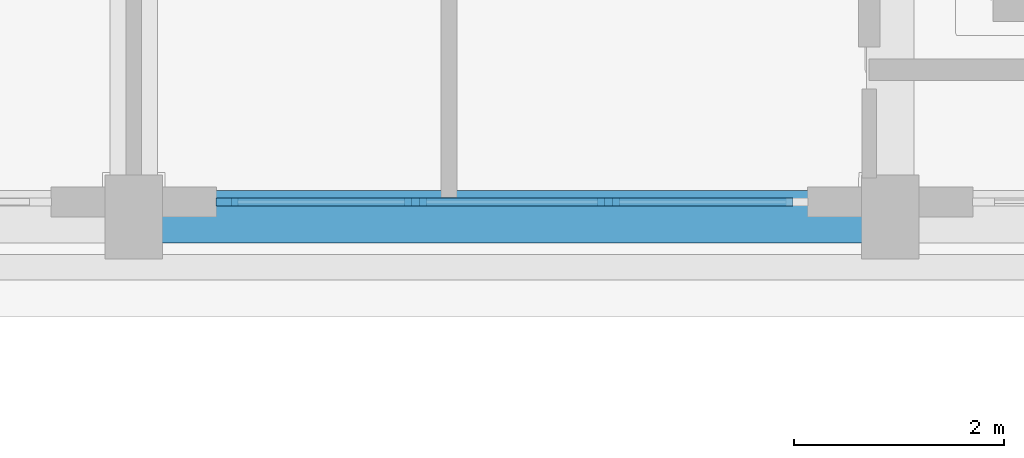
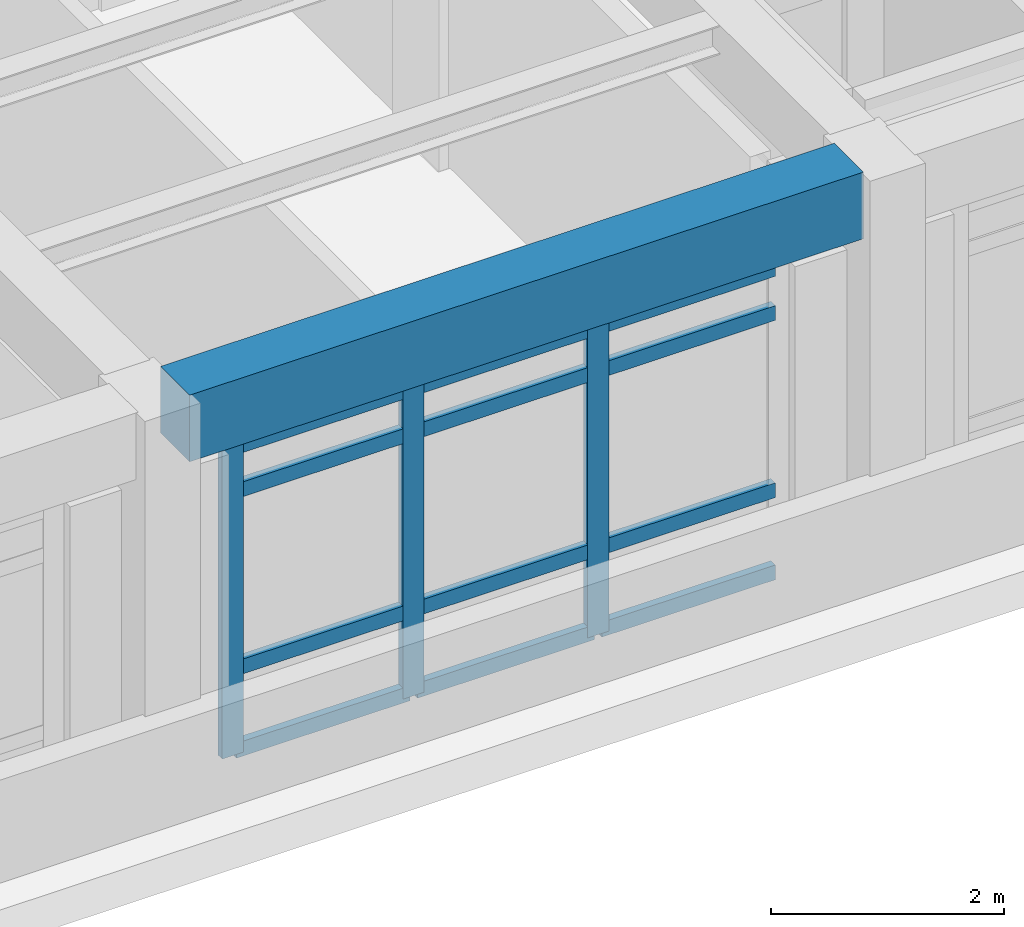
# One storey, part 52 of 98: 15 members, 1 beam, 1 element without a shape of its own.
"""IFC4 building model written with IfcOpenShell, lengths in metres."""

from ifc_helpers import new_model, si_unit, direction, frame, origin, origin_2d, place, context, subcontext, project, spatial, rectangle, extrude, material, layer, layer_set, material_profile, profile_set, type_object, element, aggregate, save


model = new_model("IFC4")

# Units and contexts
model_context = context("Model", 3, precision=1e-05, world=origin(), true_north=direction((0.0, 1.0)))
body_context = subcontext(model_context, "Body", "Model", "MODEL_VIEW")
ifc_project = project(units=[si_unit("LENGTHUNIT", "METRE"), si_unit("AREAUNIT", "SQUARE_METRE"), si_unit("VOLUMEUNIT", "CUBIC_METRE"), si_unit("PLANEANGLEUNIT", "RADIAN"), si_unit("MASSUNIT", "GRAM", prefix="KILO")], contexts=[model_context])

# Site, building, storey
site_placement = place(None, origin())
site = spatial("IfcSite", under=ifc_project, at=site_placement, CompositionType="ELEMENT")
building_placement = place(site_placement, origin())
building = spatial("IfcBuilding", under=site, at=building_placement, Name="Solenvale Faculty of Natural Sciences", CompositionType="ELEMENT")
storey_placement = place(building_placement, frame((0.0, 0.0, 9.0)))
storey = spatial("IfcBuildingStorey", under=building, at=storey_placement, Name="L02", CompositionType="ELEMENT", Elevation=9.0)

# Beam
ifc_material_1 = material(Name="Concrete 40 MPa", Category="concrete")
ifc_material_profile_1 = material_profile(ifc_material_1, rectangle(XDim=0.5, YDim=0.699951171875, at=origin_2d()), Name="RC-BM-500x700")
ifc_profile_set_1 = profile_set([ifc_material_profile_1], Name="Concrete 40 MPa")
beam_type = type_object("IfcBeamType", Name="BM-RC-500x700", PredefinedType="BEAM", material=ifc_profile_set_1)
beam_placement = place(storey_placement, frame((122.655029296875, 93.60009765625, 3.8701171875), z_axis=(1.0, 0.0, 0.0), x_axis=(0.0, 1.0, 0.0)))
element("IfcBeam", 1, at=beam_placement, inside=storey, type_object=beam_type, Name="L02 X-Girder Y93.6 (122.4..129.6)", PredefinedType="BEAM", context=body_context, shape_type="SweptSolid", body=[
    extrude(rectangle(XDim=0.5, YDim=0.699951171875, at=origin_2d()), origin(), (0.0, 0.0, 1.0), 6.68994140625),
])

# Curtain wall, members
ifc_material_2 = material(Name="Anodised bronze aluminium", Category="aluminium")
ifc_layer = layer(ifc_material_2, 0.179931640625)
ifc_layer_set = layer_set([ifc_layer], Name="Anodised bronze aluminium")
curtain_wall_type = type_object("IfcCurtainWallType", Name="CW-TWR-MOD", PredefinedType="USERDEFINED", material=ifc_layer_set)
curtain_wall_placement = place(storey_placement, origin())
curtain_wall = element("IfcCurtainWall", 2, at=curtain_wall_placement, inside=storey, type_object=curtain_wall_type, Name="L02 Curtain Wall CW-L02-P2-E6-B7", ObjectType="UNITISED CURTAIN WALL", PredefinedType="USERDEFINED")
ifc_material_profile_2 = material_profile(ifc_material_2, rectangle(XDim=0.074951171875, YDim=0.2099609375, at=origin_2d()), Name="ALU-MUL-75x210")
ifc_profile_set_2 = profile_set([ifc_material_profile_2], Name="Anodised bronze aluminium")
member_type_1 = type_object("IfcMemberType", Name="CWM-ALU-75x210", PredefinedType="MULLION", material=ifc_profile_set_2)
member_1_placement = place(storey_placement, frame((123.28759765625, 93.742431640625, 0.0), z_axis=(0.0, 0.0, 1.0), x_axis=(0.0, 1.0, 0.0)))
member_1 = element("IfcMember", 3, at=member_1_placement, type_object=member_type_1, Name="CW-04 mullion 1", PredefinedType="MULLION", context=body_context, shape_type="SweptSolid", body=[
    extrude(rectangle(XDim=0.074951171875, YDim=0.2099609375, at=origin_2d()), origin(), (0.0, 0.0, 1.0), 3.260009765625),
])
member_2_placement = place(storey_placement, frame((125.083251953125, 93.742431640625, 0.0), z_axis=(0.0, 0.0, 1.0), x_axis=(0.0, 1.0, 0.0)))
member_2 = element("IfcMember", 4, at=member_2_placement, type_object=member_type_1, Name="CW-04 mullion 2", PredefinedType="MULLION", context=body_context, shape_type="SweptSolid", body=[
    extrude(rectangle(XDim=0.074951171875, YDim=0.2099609375, at=origin_2d()), origin(), (0.0, 0.0, 1.0), 3.260009765625),
])
member_3_placement = place(storey_placement, frame((126.916748046875, 93.742431640625, 0.0), z_axis=(0.0, 0.0, 1.0), x_axis=(0.0, 1.0, 0.0)))
member_3 = element("IfcMember", 5, at=member_3_placement, type_object=member_type_1, Name="CW-04 mullion 3", PredefinedType="MULLION", context=body_context, shape_type="SweptSolid", body=[
    extrude(rectangle(XDim=0.074951171875, YDim=0.2099609375, at=origin_2d()), origin(), (0.0, 0.0, 1.0), 3.260009765625),
])
ifc_material_profile_3 = material_profile(ifc_material_2, rectangle(XDim=0.074951171875, YDim=0.155029296875, at=origin_2d()), Name="ALU-TRN-75x155")
ifc_profile_set_3 = profile_set([ifc_material_profile_3], Name="Anodised bronze aluminium")
member_type_2 = type_object("IfcMemberType", Name="CWT-ALU-75x155", PredefinedType="USERDEFINED", material=ifc_profile_set_3)
member_4_placement = place(storey_placement, frame((123.324951171875, 93.742431640625, 0.03759765625), z_axis=(1.0, 0.0, 0.0), x_axis=(0.0, 1.0, 0.0)))
member_4 = element("IfcMember", 6, at=member_4_placement, type_object=member_type_2, Name="CW-04 transom 1.1", ObjectType="TRANSOM", PredefinedType="USERDEFINED", context=body_context, shape_type="SweptSolid", body=[
    extrude(rectangle(XDim=0.074951171875, YDim=0.155029296875, at=origin_2d()), origin(), (0.0, 0.0, 1.0), 1.720947265625),
])
member_5_placement = place(storey_placement, frame((123.324951171875, 93.742431640625, 0.89990234375), z_axis=(1.0, 0.0, 0.0), x_axis=(0.0, 1.0, 0.0)))
member_5 = element("IfcMember", 7, at=member_5_placement, type_object=member_type_2, Name="CW-04 transom 1.2", ObjectType="TRANSOM", PredefinedType="USERDEFINED", context=body_context, shape_type="SweptSolid", body=[
    extrude(rectangle(XDim=0.074951171875, YDim=0.155029296875, at=origin_2d()), origin(), (0.0, 0.0, 1.0), 1.720947265625),
])
member_6_placement = place(storey_placement, frame((123.324951171875, 93.742431640625, 2.760009765625), z_axis=(1.0, 0.0, 0.0), x_axis=(0.0, 1.0, 0.0)))
member_6 = element("IfcMember", 8, at=member_6_placement, type_object=member_type_2, Name="CW-04 transom 1.3", ObjectType="TRANSOM", PredefinedType="USERDEFINED", context=body_context, shape_type="SweptSolid", body=[
    extrude(rectangle(XDim=0.074951171875, YDim=0.155029296875, at=origin_2d()), origin(), (0.0, 0.0, 1.0), 1.720947265625),
])
member_7_placement = place(storey_placement, frame((123.324951171875, 93.742431640625, 3.222412109375), z_axis=(1.0, 0.0, 0.0), x_axis=(0.0, 1.0, 0.0)))
member_7 = element("IfcMember", 9, at=member_7_placement, type_object=member_type_2, Name="CW-04 transom 1.4", ObjectType="TRANSOM", PredefinedType="USERDEFINED", context=body_context, shape_type="SweptSolid", body=[
    extrude(rectangle(XDim=0.074951171875, YDim=0.155029296875, at=origin_2d()), origin(), (0.0, 0.0, 1.0), 1.720947265625),
])
member_8_placement = place(storey_placement, frame((125.120849609375, 93.742431640625, 0.03759765625), z_axis=(1.0, 0.0, 0.0), x_axis=(0.0, 1.0, 0.0)))
member_8 = element("IfcMember", 10, at=member_8_placement, type_object=member_type_2, Name="CW-04 transom 2.1", ObjectType="TRANSOM", PredefinedType="USERDEFINED", context=body_context, shape_type="SweptSolid", body=[
    extrude(rectangle(XDim=0.074951171875, YDim=0.155029296875, at=origin_2d()), origin(), (0.0, 0.0, 1.0), 1.75830078125),
])
member_9_placement = place(storey_placement, frame((125.120849609375, 93.742431640625, 0.89990234375), z_axis=(1.0, 0.0, 0.0), x_axis=(0.0, 1.0, 0.0)))
member_9 = element("IfcMember", 11, at=member_9_placement, type_object=member_type_2, Name="CW-04 transom 2.2", ObjectType="TRANSOM", PredefinedType="USERDEFINED", context=body_context, shape_type="SweptSolid", body=[
    extrude(rectangle(XDim=0.074951171875, YDim=0.155029296875, at=origin_2d()), origin(), (0.0, 0.0, 1.0), 1.75830078125),
])
member_10_placement = place(storey_placement, frame((125.120849609375, 93.742431640625, 2.760009765625), z_axis=(1.0, 0.0, 0.0), x_axis=(0.0, 1.0, 0.0)))
member_10 = element("IfcMember", 12, at=member_10_placement, type_object=member_type_2, Name="CW-04 transom 2.3", ObjectType="TRANSOM", PredefinedType="USERDEFINED", context=body_context, shape_type="SweptSolid", body=[
    extrude(rectangle(XDim=0.074951171875, YDim=0.155029296875, at=origin_2d()), origin(), (0.0, 0.0, 1.0), 1.75830078125),
])
member_11_placement = place(storey_placement, frame((125.120849609375, 93.742431640625, 3.222412109375), z_axis=(1.0, 0.0, 0.0), x_axis=(0.0, 1.0, 0.0)))
member_11 = element("IfcMember", 13, at=member_11_placement, type_object=member_type_2, Name="CW-04 transom 2.4", ObjectType="TRANSOM", PredefinedType="USERDEFINED", context=body_context, shape_type="SweptSolid", body=[
    extrude(rectangle(XDim=0.074951171875, YDim=0.155029296875, at=origin_2d()), origin(), (0.0, 0.0, 1.0), 1.75830078125),
])
member_12_placement = place(storey_placement, frame((126.9541015625, 93.742431640625, 0.03759765625), z_axis=(1.0, 0.0, 0.0), x_axis=(0.0, 1.0, 0.0)))
member_12 = element("IfcMember", 14, at=member_12_placement, type_object=member_type_2, Name="CW-04 transom 3.1", ObjectType="TRANSOM", PredefinedType="USERDEFINED", context=body_context, shape_type="SweptSolid", body=[
    extrude(rectangle(XDim=0.074951171875, YDim=0.155029296875, at=origin_2d()), origin(), (0.0, 0.0, 1.0), 1.720947265625),
])
member_13_placement = place(storey_placement, frame((126.9541015625, 93.742431640625, 0.89990234375), z_axis=(1.0, 0.0, 0.0), x_axis=(0.0, 1.0, 0.0)))
member_13 = element("IfcMember", 15, at=member_13_placement, type_object=member_type_2, Name="CW-04 transom 3.2", ObjectType="TRANSOM", PredefinedType="USERDEFINED", context=body_context, shape_type="SweptSolid", body=[
    extrude(rectangle(XDim=0.074951171875, YDim=0.155029296875, at=origin_2d()), origin(), (0.0, 0.0, 1.0), 1.720947265625),
])
member_14_placement = place(storey_placement, frame((126.9541015625, 93.742431640625, 2.760009765625), z_axis=(1.0, 0.0, 0.0), x_axis=(0.0, 1.0, 0.0)))
member_14 = element("IfcMember", 16, at=member_14_placement, type_object=member_type_2, Name="CW-04 transom 3.3", ObjectType="TRANSOM", PredefinedType="USERDEFINED", context=body_context, shape_type="SweptSolid", body=[
    extrude(rectangle(XDim=0.074951171875, YDim=0.155029296875, at=origin_2d()), origin(), (0.0, 0.0, 1.0), 1.720947265625),
])
member_15_placement = place(storey_placement, frame((126.9541015625, 93.742431640625, 3.222412109375), z_axis=(1.0, 0.0, 0.0), x_axis=(0.0, 1.0, 0.0)))
member_15 = element("IfcMember", 17, at=member_15_placement, type_object=member_type_2, Name="CW-04 transom 3.4", ObjectType="TRANSOM", PredefinedType="USERDEFINED", context=body_context, shape_type="SweptSolid", body=[
    extrude(rectangle(XDim=0.074951171875, YDim=0.155029296875, at=origin_2d()), origin(), (0.0, 0.0, 1.0), 1.720947265625),
])
aggregate(curtain_wall, [member_1, member_2, member_3, member_4, member_5, member_6, member_7, member_8, member_9, member_10, member_11, member_12, member_13, member_14, member_15])

save(model, "model.ifc")
